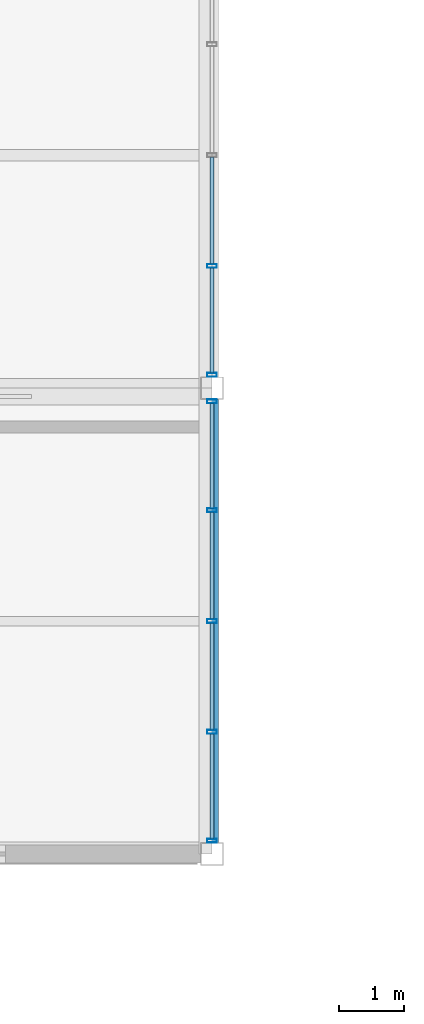
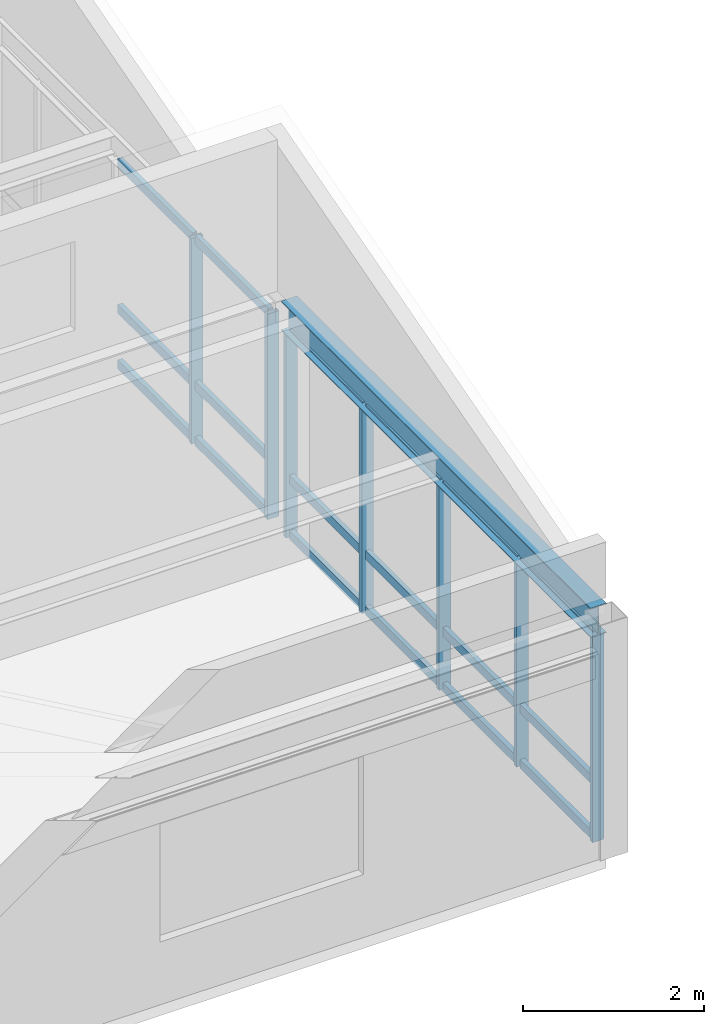
# One storey, part 12 of 43: 25 members, 1 beam, 2 elements without a shape of their own.
"""IFC4 building model written with IfcOpenShell, lengths in metres."""

from ifc_helpers import new_model, si_unit, direction, frame, origin, origin_2d, place, context, subcontext, project, spatial, hollow_rectangle, i_section, extrude, material, material_profile, profile_set, type_object, element, aggregate, save


model = new_model("IFC4")

# Units and contexts
model_context = context("Model", 3, precision=1e-05, world=origin(), true_north=direction((0.0, 1.0)))
body_context = subcontext(model_context, "Body", "Model", "MODEL_VIEW")
ifc_project = project(units=[si_unit("LENGTHUNIT", "METRE"), si_unit("AREAUNIT", "SQUARE_METRE"), si_unit("VOLUMEUNIT", "CUBIC_METRE"), si_unit("PLANEANGLEUNIT", "RADIAN"), si_unit("MASSUNIT", "GRAM", prefix="KILO")], contexts=[model_context])

# Site, building, storey
site_placement = place(None, origin())
site = spatial("IfcSite", under=ifc_project, at=site_placement, CompositionType="ELEMENT")
building_placement = place(site_placement, origin())
building = spatial("IfcBuilding", under=site, at=building_placement, Name="Kazanami Central Library", CompositionType="ELEMENT")
storey_placement = place(building_placement, frame((0.0, 0.0, 20.60009765625)))
storey = spatial("IfcBuildingStorey", under=building, at=storey_placement, Name="L06", CompositionType="ELEMENT", Elevation=20.60009765625)

# Beam
ifc_material_1 = material(Name="Steel SN490B (325 MPa)", Category="steel")
ifc_material_profile_1 = material_profile(ifc_material_1, i_section(OverallWidth=0.199951171875, OverallDepth=0.39990234375, WebThickness=0.008056640625, FlangeThickness=0.012939453125, at=origin_2d()), Name="H-400x200x8x13")
ifc_profile_set_1 = profile_set([ifc_material_profile_1], Name="Steel SN490B (325 MPa)")
beam_type = type_object("IfcBeamType", Name="BM-SP-3", PredefinedType="SPANDREL", material=ifc_profile_set_1)
beam_placement = place(storey_placement, frame((36.0, 64.972900390625, 2.97998046875), z_axis=(0.0, 1.0, 0.0), x_axis=(-1.0, 0.0, 0.0)))
element("IfcBeam", 1, at=beam_placement, inside=storey, type_object=beam_type, Name="Girder SP-3 L06 5/K-L", PredefinedType="SPANDREL", context=body_context, shape_type="SweptSolid", body=[
    extrude(i_section(OverallWidth=0.199951171875, OverallDepth=0.39990234375, WebThickness=0.008056640625, FlangeThickness=0.012939453125, at=origin_2d()), origin(), (0.0, 0.0, 1.0), 6.85400390625),
])

# Curtain wall, members
ifc_material_2 = material(Name="Acid-Etched Low-E Laminated Glass", Category="glass")
curtain_wall_type = type_object("IfcCurtainWallType", Name="CW-6850x2780-M180", PredefinedType="USERDEFINED", material=ifc_material_2)
curtain_wall_1_placement = place(storey_placement, origin())
curtain_wall_1 = element("IfcCurtainWall", 2, at=curtain_wall_1_placement, inside=storey, type_object=curtain_wall_type, Name="Covered Link Bridge Curtain Wall CW-58 L06 E-5-09", ObjectType="UNITISED CURTAIN WALL", PredefinedType="USERDEFINED")
ifc_material_3 = material(Name="Anodised Aluminium A6063-T5", Category="aluminium")
ifc_material_profile_2 = material_profile(ifc_material_3, hollow_rectangle(XDim=0.06005859375, YDim=0.14990234375, WallThickness=0.00390625, at=origin_2d()), Name="ALU-MULL-60x150x4")
ifc_profile_set_2 = profile_set([ifc_material_profile_2], Name="Anodised Aluminium A6063-T5")
member_type_1 = type_object("IfcMemberType", Name="MEM-CW-M3", PredefinedType="MULLION", material=ifc_profile_set_2)
member_1_placement = place(storey_placement, frame((36.0, 71.794921875, 0.0), z_axis=(0.0, 0.0, 1.0), x_axis=(0.0, -1.0, 0.0)))
member_1 = element("IfcMember", 3, at=member_1_placement, type_object=member_type_1, Name="CW-58 mullion 1", PredefinedType="MULLION", context=body_context, shape_type="SweptSolid", body=[
    extrude(hollow_rectangle(XDim=0.06005859375, YDim=0.14990234375, WallThickness=0.00390625, at=origin_2d()), origin(), (0.0, 0.0, 1.0), 2.77978515625),
])
member_2_placement = place(storey_placement, frame((36.0, 70.112548828125, 0.0), z_axis=(0.0, 0.0, 1.0), x_axis=(0.0, -1.0, 0.0)))
member_2 = element("IfcMember", 4, at=member_2_placement, type_object=member_type_1, Name="CW-58 mullion 2", PredefinedType="MULLION", context=body_context, shape_type="SweptSolid", body=[
    extrude(hollow_rectangle(XDim=0.06005859375, YDim=0.14990234375, WallThickness=0.00390625, at=origin_2d()), origin(), (0.0, 0.0, 1.0), 2.77978515625),
])
member_3_placement = place(storey_placement, frame((36.0, 68.39990234375, 0.0), z_axis=(0.0, 0.0, 1.0), x_axis=(0.0, -1.0, 0.0)))
member_3 = element("IfcMember", 5, at=member_3_placement, type_object=member_type_1, Name="CW-58 mullion 3", PredefinedType="MULLION", context=body_context, shape_type="SweptSolid", body=[
    extrude(hollow_rectangle(XDim=0.06005859375, YDim=0.14990234375, WallThickness=0.00390625, at=origin_2d()), origin(), (0.0, 0.0, 1.0), 2.77978515625),
])
member_4_placement = place(storey_placement, frame((36.0, 66.6875, 0.0), z_axis=(0.0, 0.0, 1.0), x_axis=(0.0, -1.0, 0.0)))
member_4 = element("IfcMember", 6, at=member_4_placement, type_object=member_type_1, Name="CW-58 mullion 4", PredefinedType="MULLION", context=body_context, shape_type="SweptSolid", body=[
    extrude(hollow_rectangle(XDim=0.06005859375, YDim=0.14990234375, WallThickness=0.00390625, at=origin_2d()), origin(), (0.0, 0.0, 1.0), 2.77978515625),
])
member_5_placement = place(storey_placement, frame((36.0, 65.0048828125, 0.0), z_axis=(0.0, 0.0, 1.0), x_axis=(0.0, -1.0, 0.0)))
member_5 = element("IfcMember", 7, at=member_5_placement, type_object=member_type_1, Name="CW-58 mullion 5", PredefinedType="MULLION", context=body_context, shape_type="SweptSolid", body=[
    extrude(hollow_rectangle(XDim=0.06005859375, YDim=0.14990234375, WallThickness=0.00390625, at=origin_2d()), origin(), (0.0, 0.0, 1.0), 2.77978515625),
])

curtain_wall_2_placement = place(storey_placement, origin())
curtain_wall_2 = element("IfcCurtainWall", 8, at=curtain_wall_2_placement, inside=storey, type_object=curtain_wall_type, Name="Covered Link Bridge Curtain Wall CW-58 L06 E-5-10", ObjectType="UNITISED CURTAIN WALL", PredefinedType="USERDEFINED")
member_6_placement = place(storey_placement, frame((36.0, 73.887451171875, 0.0), z_axis=(0.0, 0.0, 1.0), x_axis=(0.0, -1.0, 0.0)))
member_6 = element("IfcMember", 9, at=member_6_placement, type_object=member_type_1, Name="CW-58 mullion 4", PredefinedType="MULLION", context=body_context, shape_type="SweptSolid", body=[
    extrude(hollow_rectangle(XDim=0.06005859375, YDim=0.14990234375, WallThickness=0.00390625, at=origin_2d()), origin(), (0.0, 0.0, 1.0), 2.77978515625),
])
member_7_placement = place(storey_placement, frame((36.0, 72.205078125, 0.0), z_axis=(0.0, 0.0, 1.0), x_axis=(0.0, -1.0, 0.0)))
member_7 = element("IfcMember", 10, at=member_7_placement, type_object=member_type_1, Name="CW-58 mullion 5", PredefinedType="MULLION", context=body_context, shape_type="SweptSolid", body=[
    extrude(hollow_rectangle(XDim=0.06005859375, YDim=0.14990234375, WallThickness=0.00390625, at=origin_2d()), origin(), (0.0, 0.0, 1.0), 2.77978515625),
])

# Member
ifc_material_profile_3 = material_profile(ifc_material_3, hollow_rectangle(XDim=0.06005859375, YDim=0.1201171875, WallThickness=0.00341796875, at=origin_2d()), Name="ALU-TRAN-60x120x3.5")
ifc_profile_set_3 = profile_set([ifc_material_profile_3], Name="Anodised Aluminium A6063-T5")
member_type_2 = type_object("IfcMemberType", Name="MEM-CW-T3", PredefinedType="USERDEFINED", material=ifc_profile_set_3)
member_8_placement = place(storey_placement, frame((36.0, 71.764892578125, 0.02978515625), z_axis=(0.0, -1.0, 0.0), x_axis=(1.0, 0.0, 0.0)))
member_8 = element("IfcMember", 11, at=member_8_placement, type_object=member_type_2, Name="CW-58 transom 1.1", ObjectType="TRANSOM", PredefinedType="USERDEFINED", context=body_context, shape_type="SweptSolid", body=[
    extrude(hollow_rectangle(XDim=0.06005859375, YDim=0.1201171875, WallThickness=0.00341796875, at=origin_2d()), origin(), (0.0, 0.0, 1.0), 1.622314453125),
])

member_9_placement = place(storey_placement, frame((36.0, 71.764892578125, 0.77978515625), z_axis=(0.0, -1.0, 0.0), x_axis=(1.0, 0.0, 0.0)))
member_9 = element("IfcMember", 12, at=member_9_placement, type_object=member_type_2, Name="CW-58 transom 1.2", ObjectType="TRANSOM", PredefinedType="USERDEFINED", context=body_context, shape_type="SweptSolid", body=[
    extrude(hollow_rectangle(XDim=0.06005859375, YDim=0.1201171875, WallThickness=0.00341796875, at=origin_2d()), origin(), (0.0, 0.0, 1.0), 1.622314453125),
])

member_10_placement = place(storey_placement, frame((36.0, 71.764892578125, 2.75), z_axis=(0.0, -1.0, 0.0), x_axis=(1.0, 0.0, 0.0)))
member_10 = element("IfcMember", 13, at=member_10_placement, type_object=member_type_2, Name="CW-58 transom 1.3", ObjectType="TRANSOM", PredefinedType="USERDEFINED", context=body_context, shape_type="SweptSolid", body=[
    extrude(hollow_rectangle(XDim=0.06005859375, YDim=0.1201171875, WallThickness=0.00341796875, at=origin_2d()), origin(), (0.0, 0.0, 1.0), 1.622314453125),
])

member_11_placement = place(storey_placement, frame((36.0, 70.08251953125, 0.02978515625), z_axis=(0.0, -1.0, 0.0), x_axis=(1.0, 0.0, 0.0)))
member_11 = element("IfcMember", 14, at=member_11_placement, type_object=member_type_2, Name="CW-58 transom 2.1", ObjectType="TRANSOM", PredefinedType="USERDEFINED", context=body_context, shape_type="SweptSolid", body=[
    extrude(hollow_rectangle(XDim=0.06005859375, YDim=0.1201171875, WallThickness=0.00341796875, at=origin_2d()), origin(), (0.0, 0.0, 1.0), 1.652587890625),
])

member_12_placement = place(storey_placement, frame((36.0, 70.08251953125, 0.77978515625), z_axis=(0.0, -1.0, 0.0), x_axis=(1.0, 0.0, 0.0)))
member_12 = element("IfcMember", 15, at=member_12_placement, type_object=member_type_2, Name="CW-58 transom 2.2", ObjectType="TRANSOM", PredefinedType="USERDEFINED", context=body_context, shape_type="SweptSolid", body=[
    extrude(hollow_rectangle(XDim=0.06005859375, YDim=0.1201171875, WallThickness=0.00341796875, at=origin_2d()), origin(), (0.0, 0.0, 1.0), 1.652587890625),
])

member_13_placement = place(storey_placement, frame((36.0, 70.08251953125, 2.75), z_axis=(0.0, -1.0, 0.0), x_axis=(1.0, 0.0, 0.0)))
member_13 = element("IfcMember", 16, at=member_13_placement, type_object=member_type_2, Name="CW-58 transom 2.3", ObjectType="TRANSOM", PredefinedType="USERDEFINED", context=body_context, shape_type="SweptSolid", body=[
    extrude(hollow_rectangle(XDim=0.06005859375, YDim=0.1201171875, WallThickness=0.00341796875, at=origin_2d()), origin(), (0.0, 0.0, 1.0), 1.652587890625),
])

member_14_placement = place(storey_placement, frame((36.0, 68.3701171875, 0.02978515625), z_axis=(0.0, -1.0, 0.0), x_axis=(1.0, 0.0, 0.0)))
member_14 = element("IfcMember", 17, at=member_14_placement, type_object=member_type_2, Name="CW-58 transom 3.1", ObjectType="TRANSOM", PredefinedType="USERDEFINED", context=body_context, shape_type="SweptSolid", body=[
    extrude(hollow_rectangle(XDim=0.06005859375, YDim=0.1201171875, WallThickness=0.00341796875, at=origin_2d()), origin(), (0.0, 0.0, 1.0), 1.652587890625),
])

member_15_placement = place(storey_placement, frame((36.0, 68.3701171875, 0.77978515625), z_axis=(0.0, -1.0, 0.0), x_axis=(1.0, 0.0, 0.0)))
member_15 = element("IfcMember", 18, at=member_15_placement, type_object=member_type_2, Name="CW-58 transom 3.2", ObjectType="TRANSOM", PredefinedType="USERDEFINED", context=body_context, shape_type="SweptSolid", body=[
    extrude(hollow_rectangle(XDim=0.06005859375, YDim=0.1201171875, WallThickness=0.00341796875, at=origin_2d()), origin(), (0.0, 0.0, 1.0), 1.652587890625),
])

member_16_placement = place(storey_placement, frame((36.0, 68.3701171875, 2.75), z_axis=(0.0, -1.0, 0.0), x_axis=(1.0, 0.0, 0.0)))
member_16 = element("IfcMember", 19, at=member_16_placement, type_object=member_type_2, Name="CW-58 transom 3.3", ObjectType="TRANSOM", PredefinedType="USERDEFINED", context=body_context, shape_type="SweptSolid", body=[
    extrude(hollow_rectangle(XDim=0.06005859375, YDim=0.1201171875, WallThickness=0.00341796875, at=origin_2d()), origin(), (0.0, 0.0, 1.0), 1.652587890625),
])

member_17_placement = place(storey_placement, frame((36.0, 66.657470703125, 0.02978515625), z_axis=(0.0, -1.0, 0.0), x_axis=(1.0, 0.0, 0.0)))
member_17 = element("IfcMember", 20, at=member_17_placement, type_object=member_type_2, Name="CW-58 transom 4.1", ObjectType="TRANSOM", PredefinedType="USERDEFINED", context=body_context, shape_type="SweptSolid", body=[
    extrude(hollow_rectangle(XDim=0.06005859375, YDim=0.1201171875, WallThickness=0.00341796875, at=origin_2d()), origin(), (0.0, 0.0, 1.0), 1.62255859375),
])

member_18_placement = place(storey_placement, frame((36.0, 66.657470703125, 0.77978515625), z_axis=(0.0, -1.0, 0.0), x_axis=(1.0, 0.0, 0.0)))
member_18 = element("IfcMember", 21, at=member_18_placement, type_object=member_type_2, Name="CW-58 transom 4.2", ObjectType="TRANSOM", PredefinedType="USERDEFINED", context=body_context, shape_type="SweptSolid", body=[
    extrude(hollow_rectangle(XDim=0.06005859375, YDim=0.1201171875, WallThickness=0.00341796875, at=origin_2d()), origin(), (0.0, 0.0, 1.0), 1.62255859375),
])

member_19_placement = place(storey_placement, frame((36.0, 66.657470703125, 2.75), z_axis=(0.0, -1.0, 0.0), x_axis=(1.0, 0.0, 0.0)))
member_19 = element("IfcMember", 22, at=member_19_placement, type_object=member_type_2, Name="CW-58 transom 4.3", ObjectType="TRANSOM", PredefinedType="USERDEFINED", context=body_context, shape_type="SweptSolid", body=[
    extrude(hollow_rectangle(XDim=0.06005859375, YDim=0.1201171875, WallThickness=0.00341796875, at=origin_2d()), origin(), (0.0, 0.0, 1.0), 1.62255859375),
])

aggregate(curtain_wall_1, [member_1, member_2, member_3, member_4, member_5, member_8, member_9, member_10, member_11, member_12, member_13, member_14, member_15, member_16, member_17, member_18, member_19])

member_20_placement = place(storey_placement, frame((36.0, 75.570068359375, 0.02978515625), z_axis=(0.0, -1.0, 0.0), x_axis=(1.0, 0.0, 0.0)))
member_20 = element("IfcMember", 23, at=member_20_placement, type_object=member_type_2, Name="CW-58 transom 3.1", ObjectType="TRANSOM", PredefinedType="USERDEFINED", context=body_context, shape_type="SweptSolid", body=[
    extrude(hollow_rectangle(XDim=0.06005859375, YDim=0.1201171875, WallThickness=0.00341796875, at=origin_2d()), origin(), (0.0, 0.0, 1.0), 1.652587890625),
])

member_21_placement = place(storey_placement, frame((36.0, 75.570068359375, 0.77978515625), z_axis=(0.0, -1.0, 0.0), x_axis=(1.0, 0.0, 0.0)))
member_21 = element("IfcMember", 24, at=member_21_placement, type_object=member_type_2, Name="CW-58 transom 3.2", ObjectType="TRANSOM", PredefinedType="USERDEFINED", context=body_context, shape_type="SweptSolid", body=[
    extrude(hollow_rectangle(XDim=0.06005859375, YDim=0.1201171875, WallThickness=0.00341796875, at=origin_2d()), origin(), (0.0, 0.0, 1.0), 1.652587890625),
])

member_22_placement = place(storey_placement, frame((36.0, 75.570068359375, 2.75), z_axis=(0.0, -1.0, 0.0), x_axis=(1.0, 0.0, 0.0)))
member_22 = element("IfcMember", 25, at=member_22_placement, type_object=member_type_2, Name="CW-58 transom 3.3", ObjectType="TRANSOM", PredefinedType="USERDEFINED", context=body_context, shape_type="SweptSolid", body=[
    extrude(hollow_rectangle(XDim=0.06005859375, YDim=0.1201171875, WallThickness=0.00341796875, at=origin_2d()), origin(), (0.0, 0.0, 1.0), 1.652587890625),
])

member_23_placement = place(storey_placement, frame((36.0, 73.857421875, 0.02978515625), z_axis=(0.0, -1.0, 0.0), x_axis=(1.0, 0.0, 0.0)))
member_23 = element("IfcMember", 26, at=member_23_placement, type_object=member_type_2, Name="CW-58 transom 4.1", ObjectType="TRANSOM", PredefinedType="USERDEFINED", context=body_context, shape_type="SweptSolid", body=[
    extrude(hollow_rectangle(XDim=0.06005859375, YDim=0.1201171875, WallThickness=0.00341796875, at=origin_2d()), origin(), (0.0, 0.0, 1.0), 1.622314453125),
])

member_24_placement = place(storey_placement, frame((36.0, 73.857421875, 0.77978515625), z_axis=(0.0, -1.0, 0.0), x_axis=(1.0, 0.0, 0.0)))
member_24 = element("IfcMember", 27, at=member_24_placement, type_object=member_type_2, Name="CW-58 transom 4.2", ObjectType="TRANSOM", PredefinedType="USERDEFINED", context=body_context, shape_type="SweptSolid", body=[
    extrude(hollow_rectangle(XDim=0.06005859375, YDim=0.1201171875, WallThickness=0.00341796875, at=origin_2d()), origin(), (0.0, 0.0, 1.0), 1.622314453125),
])

member_25_placement = place(storey_placement, frame((36.0, 73.857421875, 2.75), z_axis=(0.0, -1.0, 0.0), x_axis=(1.0, 0.0, 0.0)))
member_25 = element("IfcMember", 28, at=member_25_placement, type_object=member_type_2, Name="CW-58 transom 4.3", ObjectType="TRANSOM", PredefinedType="USERDEFINED", context=body_context, shape_type="SweptSolid", body=[
    extrude(hollow_rectangle(XDim=0.06005859375, YDim=0.1201171875, WallThickness=0.00341796875, at=origin_2d()), origin(), (0.0, 0.0, 1.0), 1.622314453125),
])

aggregate(curtain_wall_2, [member_6, member_7, member_20, member_21, member_22, member_23, member_24, member_25])

save(model, "model.ifc")
